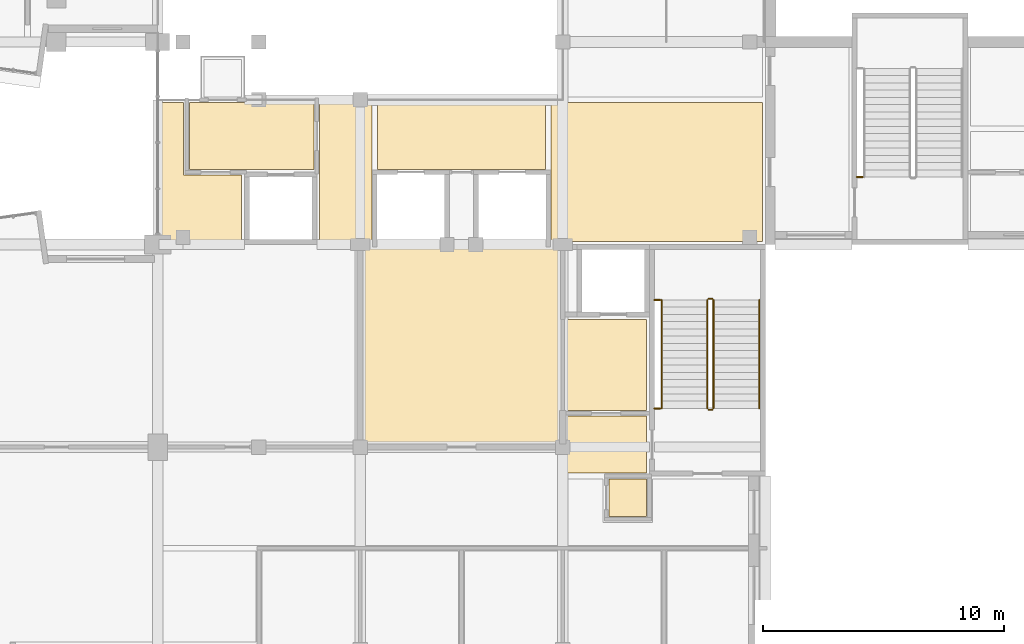
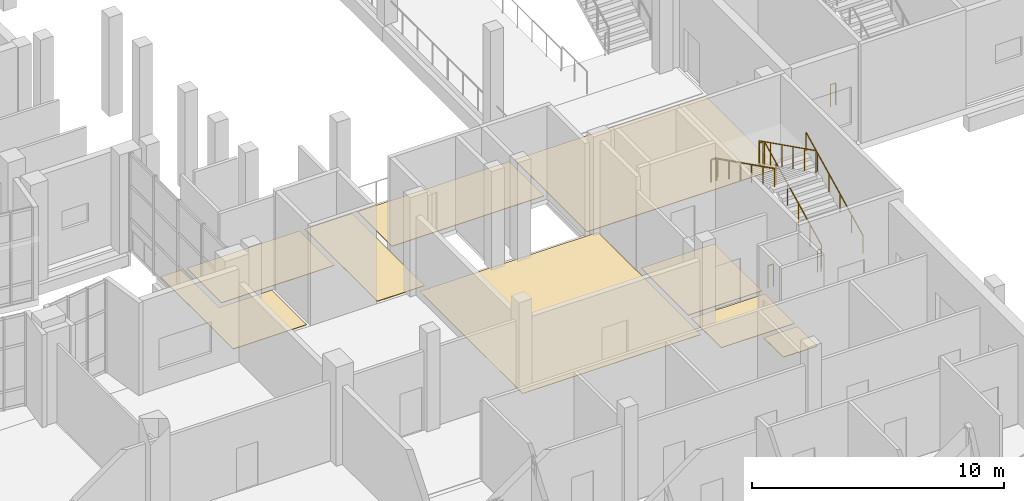
# One storey, part 70 of 91: 9 coverings, 9 railings.
"""IFC4 building model written with IfcOpenShell, lengths in metres."""

import ifcopenshell
import ifcopenshell.guid

model = None  # the IFC model being written
_history = None  # IfcOwnerHistory: only IFC2X3 demands one
_inside = {}  # id of a spatial element -> (the spatial element, [elements in it])
_under = {}  # id of a project, library or spatial element -> (it, [spatial elements below it])
_declared = {}  # id of a project -> (the project, [libraries it declares])
_typed = {}  # id of a type object -> (the type object, [elements of that type])
_made_of = {}  # id of a material, layer set ... -> (it, [elements and type objects made of it])


def new_model(schema):
    """Start an empty IFC model of exactly this schema.

    Asked for "IFC4X3", IfcOpenShell would pick the latest addendum, in which some entities
    have other attributes; the version numbers below select the first issue.
    IFC2X3 requires an IfcOwnerHistory on every rooted entity: one is made here for all.
    """
    global model, _history
    if schema == "IFC4X3":
        model = ifcopenshell.file(schema_version=(4, 3, 0, 0))
    else:
        model = ifcopenshell.file(schema=schema)
    _inside.clear()
    _under.clear()
    _declared.clear()
    _typed.clear()
    _made_of.clear()
    _history = None
    if model.schema == "IFC2X3":
        org = make("IfcOrganization", Name="unknown")
        user = make(
            "IfcPersonAndOrganization",
            ThePerson=make("IfcPerson", FamilyName="unknown"),
            TheOrganization=org,
        )
        app = make(
            "IfcApplication",
            ApplicationDeveloper=org,
            Version="unknown",
            ApplicationFullName="unknown",
            ApplicationIdentifier="unknown",
        )
        _history = make(
            "IfcOwnerHistory",
            OwningUser=user,
            OwningApplication=app,
            ChangeAction="ADDED",
            CreationDate=0,
        )
    return model


def make(cls, **values):
    """One entity of the class cls with the attributes given. An attribute that is None is left unset."""
    return model.create_entity(
        cls, **{name: value for name, value in values.items() if value is not None}
    )


def rooted(cls, **values):
    """An entity with a GlobalId (a new one), such as an element, a storey or a relation."""
    return make(cls, GlobalId=ifcopenshell.guid.new(), OwnerHistory=_history, **values)


def si_unit(unit_type, name, prefix=None):
    """IfcSIUnit, for example si_unit("LENGTHUNIT", "METRE", prefix="MILLI")."""
    return make("IfcSIUnit", UnitType=unit_type, Prefix=prefix, Name=name)


def assignment(units):
    """IfcUnitAssignment: the units of a project."""
    return None if units is None else make("IfcUnitAssignment", Units=units)


def point(xyz):
    """IfcCartesianPoint."""
    return None if xyz is None else make("IfcCartesianPoint", Coordinates=xyz)


def direction(xyz):
    """IfcDirection."""
    return None if xyz is None else make("IfcDirection", DirectionRatios=xyz)


def frame(location, z_axis=None, x_axis=None):
    """IfcAxis2Placement3D, a coordinate frame: its origin and axes. An axis left out is left unset."""
    return make(
        "IfcAxis2Placement3D",
        Location=point(location),
        Axis=direction(z_axis),
        RefDirection=direction(x_axis),
    )


def frame_2d(location, x_axis=None):
    """IfcAxis2Placement2D, a coordinate frame in the plane: its origin and x axis."""
    return make(
        "IfcAxis2Placement2D", Location=point(location), RefDirection=direction(x_axis)
    )


def origin():
    """The frame at (0, 0, 0) with its axes left unset."""
    return frame((0.0, 0.0, 0.0))


def origin_2d():
    """The frame at (0, 0) in the plane with its x axis left unset."""
    return frame_2d((0.0, 0.0))


def place(relative_to, where):
    """IfcLocalPlacement: puts the frame where relative to a parent placement (None: the world)."""
    return make(
        "IfcLocalPlacement", PlacementRelTo=relative_to, RelativePlacement=where
    )


def context(
    kind, dimensions, precision=None, world=None, true_north=None, identifier=None
):
    """IfcGeometricRepresentationContext, for example the 3D "Model" context."""
    return make(
        "IfcGeometricRepresentationContext",
        ContextIdentifier=identifier,
        ContextType=kind,
        CoordinateSpaceDimension=dimensions,
        Precision=precision,
        WorldCoordinateSystem=world,
        TrueNorth=true_north,
    )


def subcontext(parent, identifier, kind, view, scale=None):
    """IfcGeometricRepresentationSubContext, for example "Body" below "Model"."""
    return make(
        "IfcGeometricRepresentationSubContext",
        ContextIdentifier=identifier,
        ContextType=kind,
        ParentContext=parent,
        TargetScale=scale,
        TargetView=view,
    )


def project(units=None, contexts=None):
    """IfcProject with its units and contexts."""
    return rooted(
        "IfcProject",
        Name="project",
        RepresentationContexts=contexts,
        UnitsInContext=assignment(units),
    )


def spatial(cls, under=None, at=None, **own):
    """A site, building, storey or space (cls), placed at a placement, below another one or the project."""
    s = rooted(cls, ObjectPlacement=at, **own)
    if under is not None:
        _under.setdefault(under.id(), (under, []))[1].append(s)
    return s


def polyline(points):
    """IfcPolyline through the points."""
    return make("IfcPolyline", Points=[point(p) for p in points])


def profile(cls, at=None, kind="AREA", **sizes):
    """A parametric profile (cls). Its sizes go by their IFC names, for example OverallWidth=200.0."""
    return make(cls, ProfileType=kind, Position=at, **sizes)


def circle(**sizes):
    """IfcCircleProfileDef."""
    return profile("IfcCircleProfileDef", **sizes)


def outline(outer, holes=None, kind="AREA"):
    """IfcArbitraryClosedProfileDef: a profile drawn as a closed curve; with holes, ...WithVoids."""
    if holes is None:
        return make("IfcArbitraryClosedProfileDef", ProfileType=kind, OuterCurve=outer)
    return make(
        "IfcArbitraryProfileDefWithVoids",
        ProfileType=kind,
        OuterCurve=outer,
        InnerCurves=holes,
    )


def extrude(swept, where, along, depth):
    """IfcExtrudedAreaSolid: the profile swept, set in the frame where, extruded along a direction by depth."""
    return make(
        "IfcExtrudedAreaSolid",
        SweptArea=swept,
        Position=where,
        ExtrudedDirection=direction(along),
        Depth=depth,
    )


def shape(context_of_items, identifier, shape_type, items):
    """IfcShapeRepresentation: the items that make up one representation, for example the "Body"."""
    return make(
        "IfcShapeRepresentation",
        ContextOfItems=context_of_items,
        RepresentationIdentifier=identifier,
        RepresentationType=shape_type,
        Items=items,
    )


def material(Name=None, Category=None):
    """IfcMaterial."""
    return make("IfcMaterial", Name=Name, Category=Category)


def layer(
    of_material, thickness, ventilated=None, Name=None, Category=None, Priority=None
):
    """IfcMaterialLayer: one layer of a wall or slab, of a material (None: an air gap)."""
    return make(
        "IfcMaterialLayer",
        Material=of_material,
        LayerThickness=thickness,
        IsVentilated=ventilated,
        Name=Name,
        Category=Category,
        Priority=Priority,
    )


def layer_set(layers, Name=None):
    """IfcMaterialLayerSet."""
    return make("IfcMaterialLayerSet", MaterialLayers=layers, LayerSetName=Name)


def made_of(thing, what):
    """Note that an element or type object is made of a material, layer set ...; save() writes the relation."""
    if what is not None:
        _made_of.setdefault(what.id(), (what, []))[1].append(thing)
    return thing


def type_object(cls, material=None, **own):
    """A type object (cls), such as IfcWallType, which elements share."""
    return made_of(rooted(cls, **own), material)


def element(
    cls,
    number,
    at=None,
    inside=None,
    cuts=None,
    type_object=None,
    material=None,
    context=None,
    identifier="Body",
    shape_type=None,
    held_by="IfcProductDefinitionShape",
    body=None,
    shapes=None,
    **own,
):
    """One element of the class cls, such as IfcWall. Its Tag is "e" and its number.

    at: its placement. inside: the storey or other place that contains it. cuts: it is an
    opening in that element (IfcRelVoidsElement). A single representation is given by context,
    identifier, shape_type and body (its items); several are given by shapes. held_by: the class
    of the entity that holds the representations. save() writes the other relations.
    """
    e = rooted(cls, Tag="e%d" % number, ObjectPlacement=at, **own)
    if body is not None:
        shapes = [shape(context, identifier, shape_type, body)]
    if shapes is not None:
        e.Representation = make(held_by, Representations=shapes)
    if inside is not None:
        _inside.setdefault(inside.id(), (inside, []))[1].append(e)
    if cuts is not None:
        rooted(
            "IfcRelVoidsElement", RelatingBuildingElement=cuts, RelatedOpeningElement=e
        )
    if type_object is not None:
        _typed.setdefault(type_object.id(), (type_object, []))[1].append(e)
    return made_of(e, material)


def aggregate(whole, parts):
    """IfcRelAggregates: a whole, such as a stair, and the parts it consists of."""
    return rooted("IfcRelAggregates", RelatingObject=whole, RelatedObjects=parts)


def save(model, path):
    """Write the relations noted so far, then the file.

    IfcRelAggregates (storeys below a building ...), IfcRelContainedInSpatialStructure (elements
    in a storey), IfcRelDefinesByType, IfcRelAssociatesMaterial and IfcRelDeclares: one each for
    every whole, place, type object, material and project.
    """
    for whole, parts in _under.values():
        aggregate(whole, parts)
    for where, things in _inside.values():
        rooted(
            "IfcRelContainedInSpatialStructure",
            RelatedElements=things,
            RelatingStructure=where,
        )
    for kind, things in _typed.values():
        rooted("IfcRelDefinesByType", RelatedObjects=things, RelatingType=kind)
    for what, things in _made_of.values():
        rooted("IfcRelAssociatesMaterial", RelatedObjects=things, RelatingMaterial=what)
    for by, libraries in _declared.values():
        rooted("IfcRelDeclares", RelatingContext=by, RelatedDefinitions=libraries)
    model.write(path)


model = new_model("IFC4")

# Units and contexts
model_context = context("Model", 3, precision=1e-05, world=origin(), true_north=direction((0.0, 1.0)))
body_context = subcontext(model_context, "Body", "Model", "MODEL_VIEW")
ifc_project = project(units=[si_unit("LENGTHUNIT", "METRE"), si_unit("AREAUNIT", "SQUARE_METRE"), si_unit("VOLUMEUNIT", "CUBIC_METRE"), si_unit("PLANEANGLEUNIT", "RADIAN"), si_unit("MASSUNIT", "GRAM", prefix="KILO")], contexts=[model_context])

# Site, building, storey
site_placement = place(None, origin())
site = spatial("IfcSite", under=ifc_project, at=site_placement, CompositionType="ELEMENT")
building_placement = place(site_placement, origin())
building = spatial("IfcBuilding", under=site, at=building_placement, Name="Kiln Court Media Centre", CompositionType="ELEMENT")
storey_placement = place(building_placement, frame((0.0, 0.0, 5.39990234375)))
storey = spatial("IfcBuildingStorey", under=building, at=storey_placement, Name="L01", CompositionType="ELEMENT", Elevation=5.39990234375)

# Coverings
ifc_material_1 = material(Name="Engineered timber", Category="wood")
ifc_layer_1 = layer(ifc_material_1, 0.02001953125)
ifc_layer_set_1 = layer_set([ifc_layer_1], Name="Engineered timber floor finish 20")
covering_type_1 = type_object("IfcCoveringType", Name="Engineered timber floor finish 20", PredefinedType="FLOORING", material=ifc_layer_set_1)
covering_1_placement = place(storey_placement, origin())
element("IfcCovering", 1, at=covering_1_placement, inside=storey, type_object=covering_type_1, Name="Client Review Room floor finish", PredefinedType="FLOORING", context=body_context, shape_type="SweptSolid", body=[
    extrude(outline(polyline([(42.1201171875, 16.919921875), (50.280029296875, 16.919921875), (50.280029296875, 25.080078125), (42.1201171875, 25.080078125), (42.1201171875, 16.919921875)])), origin(), (0.0, 0.0, 1.0), 0.02001953125),
])
ifc_material_2 = material(Name="Terrazzo")
ifc_layer_2 = layer(ifc_material_2, 0.02490234375)
ifc_layer_set_2 = layer_set([ifc_layer_2], Name="Polished terrazzo floor finish 25")
covering_type_2 = type_object("IfcCoveringType", Name="Polished terrazzo floor finish 25", PredefinedType="FLOORING", material=ifc_layer_set_2)
covering_2_placement = place(storey_placement, origin())
element("IfcCovering", 2, at=covering_2_placement, inside=storey, type_object=covering_type_2, Name="South Gallery West floor finish", PredefinedType="FLOORING", context=body_context, shape_type="SweptSolid", body=[
    extrude(outline(polyline([(37.080078125, 25.320068359375), (37.080078125, 28.080078125), (34.679931640625, 28.080078125), (34.679931640625, 31.080078125), (33.719970703125, 31.080078125), (33.719970703125, 25.320068359375), (37.080078125, 25.320068359375)])), origin(), (0.0, 0.0, 1.0), 0.025146484375),
])
covering_3_placement = place(storey_placement, origin())
element("IfcCovering", 3, at=covering_3_placement, inside=storey, type_object=covering_type_2, Name="South Gallery Link floor finish", PredefinedType="FLOORING", context=body_context, shape_type="SweptSolid", body=[
    extrude(outline(polyline([(40.320068359375, 25.320068359375), (42.47998046875, 25.320068359375), (42.47998046875, 31.080078125), (40.320068359375, 31.080078125), (40.320068359375, 25.320068359375)])), origin(), (0.0, 0.0, 1.0), 0.025146484375),
])
covering_4_placement = place(storey_placement, origin())
element("IfcCovering", 4, at=covering_4_placement, inside=storey, type_object=covering_type_2, Name="South Gallery East floor finish", PredefinedType="FLOORING", context=body_context, shape_type="SweptSolid", body=[
    extrude(outline(polyline([(49.919921875, 25.320068359375), (58.679931640625, 25.320068359375), (58.679931640625, 31.080078125), (49.919921875, 31.080078125), (49.919921875, 25.320068359375)])), origin(), (0.0, 0.0, 1.0), 0.025146484375),
])
covering_5_placement = place(storey_placement, origin())
element("IfcCovering", 5, at=covering_5_placement, inside=storey, type_object=covering_type_2, Name="Fire-fighting Lift Lobby floor finish", PredefinedType="FLOORING", context=body_context, shape_type="SweptSolid", body=[
    extrude(outline(polyline([(34.919921875, 28.320068359375), (40.080078125, 28.320068359375), (40.080078125, 31.080078125), (34.919921875, 31.080078125), (34.919921875, 28.320068359375)])), origin(), (0.0, 0.0, 1.0), 0.025146484375),
])
covering_6_placement = place(storey_placement, origin())
element("IfcCovering", 6, at=covering_6_placement, inside=storey, type_object=covering_type_2, Name="Glass Lift Landing floor finish", PredefinedType="FLOORING", context=body_context, shape_type="SweptSolid", body=[
    extrude(outline(polyline([(42.719970703125, 28.320068359375), (49.679931640625, 28.320068359375), (49.679931640625, 31.080078125), (42.719970703125, 31.080078125), (42.719970703125, 28.320068359375)])), origin(), (0.0, 0.0, 1.0), 0.025146484375),
])
covering_7_placement = place(storey_placement, origin())
element("IfcCovering", 7, at=covering_7_placement, inside=storey, type_object=covering_type_2, Name="Wheelchair Refuge floor finish", PredefinedType="FLOORING", context=body_context, shape_type="SweptSolid", body=[
    extrude(outline(polyline([(52.320068359375, 13.919921875), (53.8798828125, 13.919921875), (53.8798828125, 15.47998046875), (52.320068359375, 15.47998046875), (52.320068359375, 13.919921875)])), origin(), (0.0, 0.0, 1.0), 0.025146484375),
])
covering_8_placement = place(storey_placement, origin())
element("IfcCovering", 8, at=covering_8_placement, inside=storey, type_object=covering_type_2, Name="Stair 5 Lobby floor finish", PredefinedType="FLOORING", context=body_context, shape_type="SweptSolid", body=[
    extrude(outline(polyline([(50.52001953125, 15.719970703125), (53.8798828125, 15.719970703125), (53.8798828125, 18.080078125), (50.52001953125, 18.080078125), (50.52001953125, 15.719970703125)])), origin(), (0.0, 0.0, 1.0), 0.025146484375),
])
covering_9_placement = place(storey_placement, origin())
element("IfcCovering", 9, at=covering_9_placement, inside=storey, type_object=covering_type_2, Name="Fire-fighting Lift Lobby floor finish", PredefinedType="FLOORING", context=body_context, shape_type="SweptSolid", body=[
    extrude(outline(polyline([(50.52001953125, 18.320068359375), (53.8798828125, 18.320068359375), (53.8798828125, 22.080078125), (50.52001953125, 22.080078125), (50.52001953125, 18.320068359375)])), origin(), (0.0, 0.0, 1.0), 0.025146484375),
])

# Railings
ifc_material_3 = material(Name="Steel S275", Category="steel")
railing_type_1 = type_object("IfcRailingType", Name="Steel S275 stair guard 1100", PredefinedType="GUARDRAIL", material=ifc_material_3)
railing_1_placement = place(storey_placement, frame((56.64990234375, 18.39990234375, 0.150146484375)))
element("IfcRailing", 10, at=railing_1_placement, inside=storey, type_object=railing_type_1, Name="ST-05 stair guard", PredefinedType="GUARDRAIL", context=body_context, shape_type="SweptSolid", body=[
    extrude(circle(Radius=0.02392578125, at=origin_2d()), frame((0.0, 0.0, 1.076171875), z_axis=(0.0, 0.894427191, 0.4472135955), x_axis=(-1.0, 0.0, 0.0)), (0.0, 0.0, 1.0), 5.03125),
    extrude(circle(Radius=0.02099609375, at=origin_2d()), origin(), (0.0, 0.0, 1.0), 1.052001953125),
    extrude(circle(Radius=0.02099609375, at=origin_2d()), frame((0.0, 0.89990234375, 0.449951171875)), (0.0, 0.0, 1.0), 1.052001953125),
    extrude(circle(Radius=0.02099609375, at=origin_2d()), frame((0.0, 1.800048828125, 0.89990234375)), (0.0, 0.0, 1.0), 1.052001953125),
    extrude(circle(Radius=0.02099609375, at=origin_2d()), frame((0.0, 2.699951171875, 1.35009765625)), (0.0, 0.0, 1.0), 1.052001953125),
    extrude(circle(Radius=0.02099609375, at=origin_2d()), frame((0.0, 3.60009765625, 1.800048828125)), (0.0, 0.0, 1.0), 1.052001953125),
    extrude(circle(Radius=0.02099609375, at=origin_2d()), frame((0.0, 4.5, 2.25)), (0.0, 0.0, 1.0), 1.052001953125),
])
railing_2_placement = place(storey_placement, frame((56.60009765625, 22.949951171875, 2.400146484375)))
element("IfcRailing", 11, at=railing_2_placement, inside=storey, type_object=railing_type_1, Name="ST-05 stair guard", PredefinedType="GUARDRAIL", context=body_context, shape_type="SweptSolid", body=[
    extrude(circle(Radius=0.02392578125, at=origin_2d()), frame((0.0, 0.0, 1.076171875), z_axis=(-1.0, 0.0, 0.0), x_axis=(0.0, -1.0, 0.0)), (0.0, 0.0, 1.0), 0.150146484375),
    extrude(circle(Radius=0.02099609375, at=origin_2d()), origin(), (0.0, 0.0, 1.0), 1.052001953125),
    extrude(circle(Radius=0.02099609375, at=origin_2d()), frame((-0.150146484375, 0.0, 0.0)), (0.0, 0.0, 1.0), 1.052001953125),
])
railing_3_placement = place(storey_placement, frame((56.39990234375, 22.89990234375, 2.550048828125)))
element("IfcRailing", 12, at=railing_3_placement, inside=storey, type_object=railing_type_1, Name="ST-05 stair guard", PredefinedType="GUARDRAIL", context=body_context, shape_type="SweptSolid", body=[
    extrude(circle(Radius=0.02392578125, at=origin_2d()), frame((0.0, 0.0, 1.076171875), z_axis=(0.0, -0.894427191, 0.4472135955), x_axis=(1.0, 0.0, 0.0)), (0.0, 0.0, 1.0), 5.03125),
    extrude(circle(Radius=0.02099609375, at=origin_2d()), origin(), (0.0, 0.0, 1.0), 1.052001953125),
    extrude(circle(Radius=0.02099609375, at=origin_2d()), frame((0.0, -0.89990234375, 0.449951171875)), (0.0, 0.0, 1.0), 1.052001953125),
    extrude(circle(Radius=0.02099609375, at=origin_2d()), frame((0.0, -1.800048828125, 0.89990234375)), (0.0, 0.0, 1.0), 1.052001953125),
    extrude(circle(Radius=0.02099609375, at=origin_2d()), frame((0.0, -2.699951171875, 1.35009765625)), (0.0, 0.0, 1.0), 1.052001953125),
    extrude(circle(Radius=0.02099609375, at=origin_2d()), frame((0.0, -3.60009765625, 1.800048828125)), (0.0, 0.0, 1.0), 1.052001953125),
    extrude(circle(Radius=0.02099609375, at=origin_2d()), frame((0.0, -4.5, 2.25)), (0.0, 0.0, 1.0), 1.052001953125),
])
railing_4_placement = place(storey_placement, frame((56.60009765625, 18.35009765625, 0.0)))
element("IfcRailing", 13, at=railing_4_placement, inside=storey, type_object=railing_type_1, Name="ST-05 stair guard", PredefinedType="GUARDRAIL", context=body_context, shape_type="SweptSolid", body=[
    extrude(circle(Radius=0.02392578125, at=origin_2d()), frame((0.0, 0.0, 1.076171875), z_axis=(-1.0, 0.0, 0.0), x_axis=(0.0, -1.0, 0.0)), (0.0, 0.0, 1.0), 0.150146484375),
    extrude(circle(Radius=0.02099609375, at=origin_2d()), origin(), (0.0, 0.0, 1.0), 1.052001953125),
    extrude(circle(Radius=0.02099609375, at=origin_2d()), frame((-0.150146484375, 0.0, 0.0)), (0.0, 0.0, 1.0), 1.052001953125),
])
for number, where, name in (
    (14, (54.449951171875, 22.89990234375, 2.400146484375), "ST-05 landing edge guard"),
    (15, (54.449951171875, 18.39990234375, 0.0), "ST-05 landing edge guard"),
    (16, (62.85009765625, 28.0, 0.0), "ST-09 landing edge guard"),
):
    element("IfcRailing", number, at=place(storey_placement, frame(where)), inside=storey, type_object=railing_type_1, Name=name, PredefinedType="GUARDRAIL", context=body_context, shape_type="SweptSolid", body=[
        extrude(circle(Radius=0.02392578125, at=origin_2d()), frame((0.0, 0.0, 1.076171875), z_axis=(-1.0, 0.0, 0.0), x_axis=(0.0, -1.0, 0.0)), (0.0, 0.0, 1.0), 0.25),
        extrude(circle(Radius=0.02099609375, at=origin_2d()), origin(), (0.0, 0.0, 1.0), 1.052001953125),
        extrude(circle(Radius=0.02099609375, at=origin_2d()), frame((-0.25, 0.0, 0.0)), (0.0, 0.0, 1.0), 1.052001953125),
    ])
ifc_material_4 = material(Name="Steel S275", Category="steel")
railing_type_2 = type_object("IfcRailingType", Name="Steel S275 stair handrail 900", PredefinedType="HANDRAIL", material=ifc_material_4)
railing_5_placement = place(storey_placement, frame((58.550048828125, 18.39990234375, 0.150146484375)))
element("IfcRailing", 17, at=railing_5_placement, inside=storey, type_object=railing_type_2, Name="ST-05 stair handrail", PredefinedType="HANDRAIL", context=body_context, shape_type="SweptSolid", body=[
    extrude(circle(Radius=0.02392578125, at=origin_2d()), frame((0.0, 0.0, 0.8759765625), z_axis=(0.0, 0.894427191, 0.4472135955), x_axis=(-1.0, 0.0, 0.0)), (0.0, 0.0, 1.0), 5.03125),
    extrude(circle(Radius=0.02099609375, at=origin_2d()), origin(), (0.0, 0.0, 1.0), 0.851806640625),
    extrude(circle(Radius=0.02099609375, at=origin_2d()), frame((0.0, 0.89990234375, 0.449951171875)), (0.0, 0.0, 1.0), 0.851806640625),
    extrude(circle(Radius=0.02099609375, at=origin_2d()), frame((0.0, 1.800048828125, 0.89990234375)), (0.0, 0.0, 1.0), 0.851806640625),
    extrude(circle(Radius=0.02099609375, at=origin_2d()), frame((0.0, 2.699951171875, 1.35009765625)), (0.0, 0.0, 1.0), 0.851806640625),
    extrude(circle(Radius=0.02099609375, at=origin_2d()), frame((0.0, 3.60009765625, 1.800048828125)), (0.0, 0.0, 1.0), 0.851806640625),
    extrude(circle(Radius=0.02099609375, at=origin_2d()), frame((0.0, 4.5, 2.25)), (0.0, 0.0, 1.0), 0.851806640625),
])
railing_6_placement = place(storey_placement, frame((54.5, 22.89990234375, 2.550048828125)))
element("IfcRailing", 18, at=railing_6_placement, inside=storey, type_object=railing_type_2, Name="ST-05 stair handrail", PredefinedType="HANDRAIL", context=body_context, shape_type="SweptSolid", body=[
    extrude(circle(Radius=0.02392578125, at=origin_2d()), frame((0.0, 0.0, 0.8759765625), z_axis=(0.0, -0.894427191, 0.4472135955), x_axis=(1.0, 0.0, 0.0)), (0.0, 0.0, 1.0), 5.03125),
    extrude(circle(Radius=0.02099609375, at=origin_2d()), origin(), (0.0, 0.0, 1.0), 0.851806640625),
    extrude(circle(Radius=0.02099609375, at=origin_2d()), frame((0.0, -0.89990234375, 0.449951171875)), (0.0, 0.0, 1.0), 0.851806640625),
    extrude(circle(Radius=0.02099609375, at=origin_2d()), frame((0.0, -1.800048828125, 0.89990234375)), (0.0, 0.0, 1.0), 0.851806640625),
    extrude(circle(Radius=0.02099609375, at=origin_2d()), frame((0.0, -2.699951171875, 1.35009765625)), (0.0, 0.0, 1.0), 0.851806640625),
    extrude(circle(Radius=0.02099609375, at=origin_2d()), frame((0.0, -3.60009765625, 1.800048828125)), (0.0, 0.0, 1.0), 0.851806640625),
    extrude(circle(Radius=0.02099609375, at=origin_2d()), frame((0.0, -4.5, 2.25)), (0.0, 0.0, 1.0), 0.851806640625),
])

save(model, "model.ifc")
